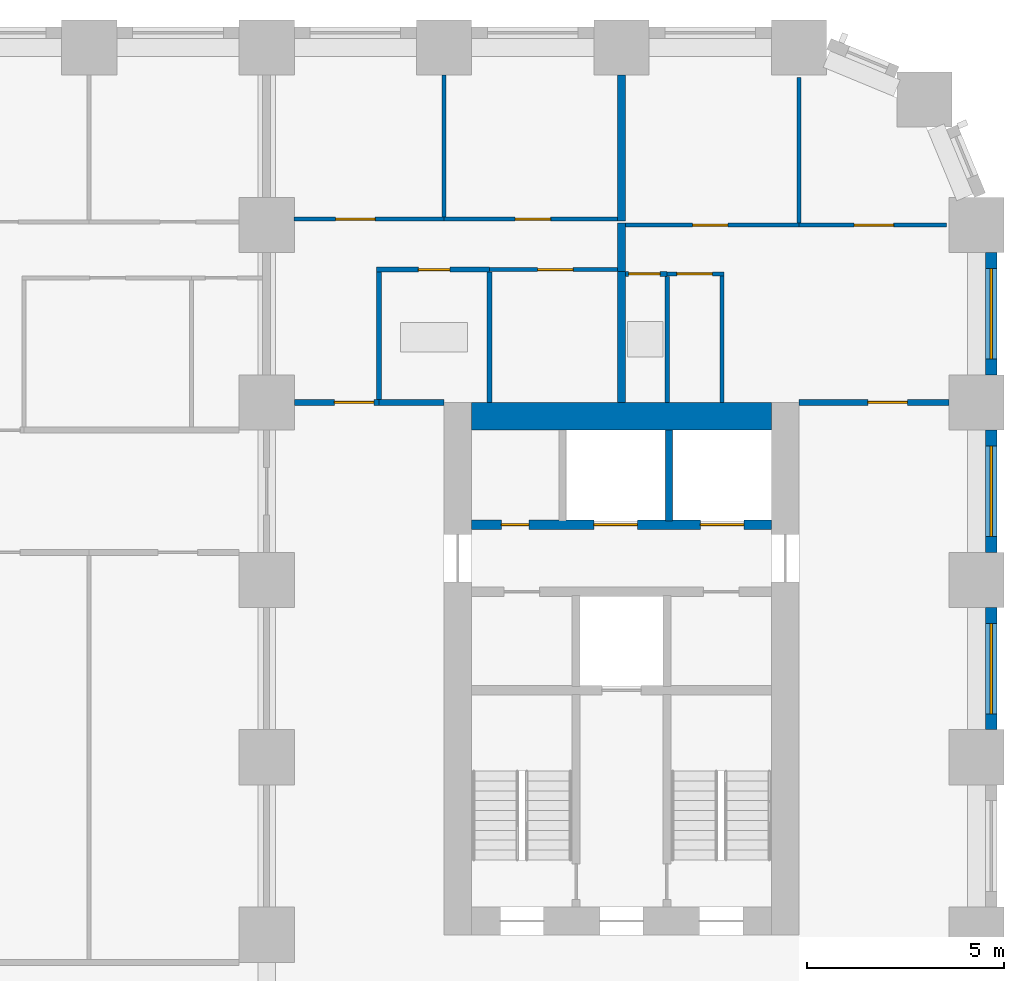
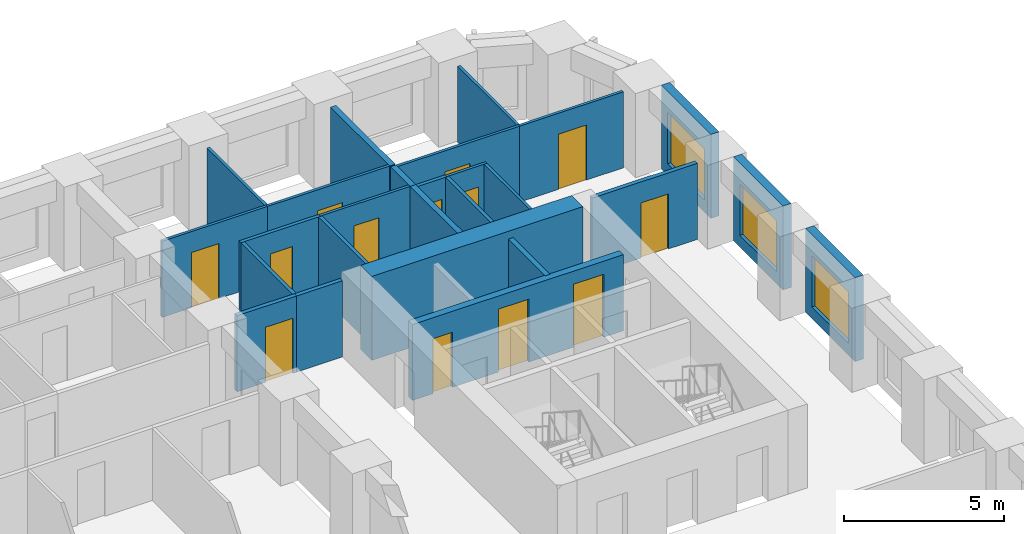
# One storey, part 9 of 13: 26 walls, 13 doors, 3 windows, 16 openings.
"""IFC4 building model written with IfcOpenShell, lengths in metres."""

from ifc_helpers import new_model, si_unit, direction, frame, frame_2d, origin, place, context, subcontext, project, spatial, rectangle, extrude, material, layer, layer_set, type_object, element, fill, save


model = new_model("IFC4")

# Units and contexts
model_context = context("Model", 3, precision=1e-05, world=origin(), true_north=direction((0.0, 1.0)))
body_context = subcontext(model_context, "Body", "Model", "MODEL_VIEW")
ifc_project = project(units=[si_unit("LENGTHUNIT", "METRE"), si_unit("AREAUNIT", "SQUARE_METRE"), si_unit("VOLUMEUNIT", "CUBIC_METRE"), si_unit("PLANEANGLEUNIT", "RADIAN"), si_unit("MASSUNIT", "GRAM", prefix="KILO")], contexts=[model_context])

# Site, building, storey
site_placement = place(None, origin())
site = spatial("IfcSite", under=ifc_project, at=site_placement, CompositionType="ELEMENT")
building_placement = place(site_placement, origin())
building = spatial("IfcBuilding", under=site, at=building_placement, Name="Girih Gate Residences", CompositionType="ELEMENT")
storey_placement = place(building_placement, frame((0.0, 0.0, 49.60009765625)))
storey = spatial("IfcBuildingStorey", under=building, at=storey_placement, Name="L12", CompositionType="ELEMENT", Elevation=49.60009765625)

# Wall, opening, door
ifc_material_1 = material(Name="Gypsum board on steel studs", Category="steel")
ifc_layer_1 = layer(ifc_material_1, 0.14990234375)
ifc_layer_set_1 = layer_set([ifc_layer_1], Name="Compartment wall 150 mm")
wall_type_1 = type_object("IfcWallType", Name="Compartment wall 150 mm", PredefinedType="PARTITIONING", material=ifc_layer_set_1)
wall_1_placement = place(storey_placement, frame((45.0, 40.5, 0.0), z_axis=(0.0, 0.0, 1.0), x_axis=(1.0, 0.0, 0.0)))
wall_1 = element("IfcWall", 1, at=wall_1_placement, inside=storey, type_object=wall_type_1, Name="L12 partition", PredefinedType="PARTITIONING", context=body_context, shape_type="SweptSolid", body=[
    extrude(rectangle(XDim=3.800048828125, YDim=0.14990234375, at=frame_2d((1.89990234375, 0.0))), origin(), (0.0, 0.0, 1.0), 2.89990234375),
])
opening_1_placement = place(wall_1_placement, frame((1.75, 0.0, 0.0)))
opening_1 = element("IfcOpeningElement", 2, at=opening_1_placement, cuts=wall_1, Name="Opening A12-033", PredefinedType="OPENING", context=body_context, shape_type="SweptSolid", body=[
    extrude(rectangle(XDim=1.0, YDim=2.10009765625, at=frame_2d((0.5, 1.050048828125))), frame((0.0, 0.0849609375, 0.0), z_axis=(0.0, -1.0, 0.0), x_axis=(1.0, 0.0, 0.0)), (0.0, 0.0, 1.0), 0.169921875),
])
ifc_material_2 = material(Name="Timber, fire-rated core", Category="wood")
door_type_1 = type_object("IfcDoorType", Name="Flat entrance door 1000x2100 FD30S", OperationType="NOTDEFINED", PredefinedType="DOOR", material=ifc_material_2)
door_1_placement = place(opening_1_placement, origin())
door_1 = element("IfcDoor", 3, at=door_1_placement, inside=storey, type_object=door_type_1, Name="Door A12-033", OperationType="SINGLE_SWING_RIGHT", OverallHeight=2.10009765625, OverallWidth=1.0, PredefinedType="DOOR", context=body_context, shape_type="SweptSolid", body=[
    extrude(rectangle(XDim=1.0, YDim=2.10009765625, at=frame_2d((0.5, 1.050048828125))), frame((0.0, 0.02490234375, 0.0), z_axis=(0.0, -1.0, 0.0), x_axis=(1.0, 0.0, 0.0)), (0.0, 0.0, 1.0), 0.050048828125),
])
fill(opening_1, door_1)

# Wall
wall_2_placement = place(storey_placement, frame((34.35009765625, 40.5, 0.0), z_axis=(0.0, 0.0, 1.0), x_axis=(1.0, 0.0, 0.0)))
element("IfcWall", 4, at=wall_2_placement, inside=storey, type_object=wall_type_1, Name="L12 partition", PredefinedType="PARTITIONING", context=body_context, shape_type="SweptSolid", body=[
    extrude(rectangle(XDim=1.64990234375, YDim=0.14990234375, at=frame_2d((0.824951171875, 0.0))), origin(), (0.0, 0.0, 1.0), 2.89990234375),
])

# Wall, opening, door
wall_3_placement = place(storey_placement, frame((32.199951171875, 40.5, 0.0), z_axis=(0.0, 0.0, 1.0), x_axis=(1.0, 0.0, 0.0)))
wall_3 = element("IfcWall", 5, at=wall_3_placement, inside=storey, type_object=wall_type_1, Name="L12 partition", PredefinedType="PARTITIONING", context=body_context, shape_type="SweptSolid", body=[
    extrude(rectangle(XDim=2.150146484375, YDim=0.14990234375, at=frame_2d((1.0751953125, 0.0))), origin(), (0.0, 0.0, 1.0), 2.89990234375),
])
opening_2_placement = place(wall_3_placement, frame((1.02001953125, 0.0, 0.0)))
opening_2 = element("IfcOpeningElement", 6, at=opening_2_placement, cuts=wall_3, Name="Opening A12-038", PredefinedType="OPENING", context=body_context, shape_type="SweptSolid", body=[
    extrude(rectangle(XDim=1.0, YDim=2.10009765625, at=frame_2d((0.5, 1.050048828125))), frame((0.0, 0.0849609375, 0.0), z_axis=(0.0, -1.0, 0.0), x_axis=(1.0, 0.0, 0.0)), (0.0, 0.0, 1.0), 0.169921875),
])
door_2_placement = place(opening_2_placement, origin())
door_2 = element("IfcDoor", 7, at=door_2_placement, inside=storey, type_object=door_type_1, Name="Door A12-038", OperationType="SINGLE_SWING_RIGHT", OverallHeight=2.10009765625, OverallWidth=1.0, PredefinedType="DOOR", context=body_context, shape_type="SweptSolid", body=[
    extrude(rectangle(XDim=1.0, YDim=2.10009765625, at=frame_2d((0.5, 1.050048828125))), frame((0.0, 0.02490234375, 0.0), z_axis=(0.0, -1.0, 0.0), x_axis=(1.0, 0.0, 0.0)), (0.0, 0.0, 1.0), 0.050048828125),
])
fill(opening_2, door_2)

# Wall
ifc_material_3 = material(Name="Concrete C60/75", Category="concrete")
ifc_layer_2 = layer(ifc_material_3, 0.699951171875)
ifc_layer_set_2 = layer_set([ifc_layer_2], Name="Core wall RC 700 Concrete C60/75")
wall_type_2 = type_object("IfcWallType", Name="Core wall RC 700 Concrete C60/75", PredefinedType="SOLIDWALL", material=ifc_layer_set_2)
wall_4_placement = place(storey_placement, frame((36.699951171875, 40.14990234375, 0.0), z_axis=(0.0, 0.0, 1.0), x_axis=(1.0, 0.0, 0.0)))
element("IfcWall", 8, at=wall_4_placement, inside=storey, type_object=wall_type_2, Name="Core wall E-N L12", PredefinedType="SOLIDWALL", context=body_context, shape_type="SweptSolid", body=[
    extrude(rectangle(XDim=7.60009765625, YDim=0.699951171875, at=frame_2d((3.800048828125, 0.0))), origin(), (0.0, 0.0, 1.0), 3.199951171875),
])

# Wall, openings, doors
ifc_material_4 = material(Name="Concrete C40/50", Category="concrete")
ifc_layer_3 = layer(ifc_material_4, 0.25)
ifc_layer_set_3 = layer_set([ifc_layer_3], Name="Lift shaft wall 250")
wall_type_3 = type_object("IfcWallType", Name="Lift shaft wall 250", PredefinedType="SOLIDWALL", material=ifc_layer_set_3)
wall_5_placement = place(storey_placement, frame((36.699951171875, 37.39990234375, 0.0), z_axis=(0.0, 0.0, 1.0), x_axis=(1.0, 0.0, 0.0)))
wall_5 = element("IfcWall", 9, at=wall_5_placement, inside=storey, type_object=wall_type_3, Name="L12 E core wall H3", PredefinedType="SOLIDWALL", context=body_context, shape_type="SweptSolid", body=[
    extrude(rectangle(XDim=7.60009765625, YDim=0.25, at=frame_2d((3.800048828125, 0.0))), origin(), (0.0, 0.0, 1.0), 2.89990234375),
])
opening_3_placement = place(wall_5_placement, frame((5.800048828125, 0.0, 0.0)))
opening_3 = element("IfcOpeningElement", 10, at=opening_3_placement, cuts=wall_5, Name="Opening D-L12-E-003", PredefinedType="OPENING", context=body_context, shape_type="SweptSolid", body=[
    extrude(rectangle(XDim=1.10009765625, YDim=2.39990234375, at=frame_2d((0.550048828125, 1.199951171875))), frame((0.0, 0.135009765625, 0.0), z_axis=(0.0, -1.0, 0.0), x_axis=(1.0, 0.0, 0.0)), (0.0, 0.0, 1.0), 0.27001953125),
])
opening_4_placement = place(wall_5_placement, frame((3.10009765625, 0.0, 0.0)))
opening_4 = element("IfcOpeningElement", 11, at=opening_4_placement, cuts=wall_5, Name="Opening D-L12-E-004", PredefinedType="OPENING", context=body_context, shape_type="SweptSolid", body=[
    extrude(rectangle(XDim=1.10009765625, YDim=2.39990234375, at=frame_2d((0.550048828125, 1.199951171875))), frame((0.0, 0.135009765625, 0.0), z_axis=(0.0, -1.0, 0.0), x_axis=(1.0, 0.0, 0.0)), (0.0, 0.0, 1.0), 0.27001953125),
])
opening_5_placement = place(wall_5_placement, frame((0.75, 0.0, 0.0)))
opening_5 = element("IfcOpeningElement", 12, at=opening_5_placement, cuts=wall_5, Name="Opening D-L12-E-006", PredefinedType="OPENING", context=body_context, shape_type="SweptSolid", body=[
    extrude(rectangle(XDim=0.699951171875, YDim=2.10009765625, at=frame_2d((0.35009765625, 1.050048828125))), frame((0.0, 0.135009765625, 0.0), z_axis=(0.0, -1.0, 0.0), x_axis=(1.0, 0.0, 0.0)), (0.0, 0.0, 1.0), 0.27001953125),
])
ifc_material_5 = material(Name="Stainless steel", Category="steel")
door_type_2 = type_object("IfcDoorType", Name="Lift landing door 1100x2400", OperationType="SLIDING_TO_LEFT", PredefinedType="DOOR", material=ifc_material_5)
door_3_placement = place(opening_3_placement, origin())
door_3 = element("IfcDoor", 13, at=door_3_placement, inside=storey, type_object=door_type_2, Name="L12 lift LR-E1 landing door", OperationType="SLIDING_TO_LEFT", OverallHeight=2.39990234375, OverallWidth=1.10009765625, PredefinedType="DOOR", context=body_context, shape_type="SweptSolid", body=[
    extrude(rectangle(XDim=1.10009765625, YDim=2.39990234375, at=frame_2d((0.550048828125, 1.199951171875))), frame((0.0, 0.02490234375, 0.0), z_axis=(0.0, -1.0, 0.0), x_axis=(1.0, 0.0, 0.0)), (0.0, 0.0, 1.0), 0.050048828125),
])
fill(opening_3, door_3)
door_4_placement = place(opening_4_placement, origin())
door_4 = element("IfcDoor", 14, at=door_4_placement, inside=storey, type_object=door_type_2, Name="L12 lift LR-E2 landing door", OperationType="SLIDING_TO_LEFT", OverallHeight=2.39990234375, OverallWidth=1.10009765625, PredefinedType="DOOR", context=body_context, shape_type="SweptSolid", body=[
    extrude(rectangle(XDim=1.10009765625, YDim=2.39990234375, at=frame_2d((0.550048828125, 1.199951171875))), frame((0.0, 0.02490234375, 0.0), z_axis=(0.0, -1.0, 0.0), x_axis=(1.0, 0.0, 0.0)), (0.0, 0.0, 1.0), 0.050048828125),
])
fill(opening_4, door_4)
ifc_material_6 = material(Name="Painted steel, fire-resisting", Category="steel")
door_type_3 = type_object("IfcDoorType", Name="Riser access door 700x2100", OperationType="SINGLE_SWING_LEFT", PredefinedType="DOOR", material=ifc_material_6)
door_5_placement = place(opening_5_placement, origin())
door_5 = element("IfcDoor", 15, at=door_5_placement, inside=storey, type_object=door_type_3, Name="L12 E riser room door", OperationType="SINGLE_SWING_LEFT", OverallHeight=2.10009765625, OverallWidth=0.699951171875, PredefinedType="DOOR", context=body_context, shape_type="SweptSolid", body=[
    extrude(rectangle(XDim=0.699951171875, YDim=2.10009765625, at=frame_2d((0.35009765625, 1.050048828125))), frame((0.0, 0.02490234375, 0.0), z_axis=(0.0, -1.0, 0.0), x_axis=(1.0, 0.0, 0.0)), (0.0, 0.0, 1.0), 0.050048828125),
])
fill(opening_5, door_5)

# Wall, opening, door
ifc_layer_4 = layer(ifc_material_1, 0.10009765625)
ifc_layer_set_4 = layer_set([ifc_layer_4], Name="Partition 100 mm")
wall_type_4 = type_object("IfcWallType", Name="Partition 100 mm", PredefinedType="PARTITIONING", material=ifc_layer_set_4)
wall_6_placement = place(storey_placement, frame((40.60009765625, 45.0, 0.0), z_axis=(0.0, 0.0, 1.0), x_axis=(1.0, 0.0, 0.0)))
wall_6 = element("IfcWall", 16, at=wall_6_placement, inside=storey, type_object=wall_type_4, Name="L12 partition", PredefinedType="PARTITIONING", context=body_context, shape_type="SweptSolid", body=[
    extrude(rectangle(XDim=4.39990234375, YDim=0.10009765625, at=frame_2d((2.199951171875, 0.0))), origin(), (0.0, 0.0, 1.0), 2.89990234375),
])
opening_6_placement = place(wall_6_placement, frame((1.699951171875, 0.0, 0.0)))
opening_6 = element("IfcOpeningElement", 17, at=opening_6_placement, cuts=wall_6, Name="Opening A12-030", PredefinedType="OPENING", context=body_context, shape_type="SweptSolid", body=[
    extrude(rectangle(XDim=0.89990234375, YDim=2.10009765625, at=frame_2d((0.449951171875, 1.050048828125))), frame((0.0, 0.06005859375, 0.0), z_axis=(0.0, -1.0, 0.0), x_axis=(1.0, 0.0, 0.0)), (0.0, 0.0, 1.0), 0.1201171875),
])
ifc_material_7 = material(Name="Timber", Category="wood")
door_type_4 = type_object("IfcDoorType", Name="Bedroom door 900x2100", OperationType="NOTDEFINED", PredefinedType="DOOR", material=ifc_material_7)
door_6_placement = place(opening_6_placement, origin())
door_6 = element("IfcDoor", 18, at=door_6_placement, inside=storey, type_object=door_type_4, Name="Door A12-030", OperationType="SINGLE_SWING_LEFT", OverallHeight=2.10009765625, OverallWidth=0.89990234375, PredefinedType="DOOR", context=body_context, shape_type="SweptSolid", body=[
    extrude(rectangle(XDim=0.89990234375, YDim=2.10009765625, at=frame_2d((0.449951171875, 1.050048828125))), frame((0.0, 0.02490234375, 0.0), z_axis=(0.0, -1.0, 0.0), x_axis=(1.0, 0.0, 0.0)), (0.0, 0.0, 1.0), 0.050048828125),
])
fill(opening_6, door_6)

# Walls
wall_7_placement = place(storey_placement, frame((45.0, 45.050048828125, 0.0), z_axis=(0.0, 0.0, 1.0), x_axis=(0.0, 1.0, 0.0)))
element("IfcWall", 19, at=wall_7_placement, inside=storey, type_object=wall_type_4, Name="L12 partition", PredefinedType="PARTITIONING", context=body_context, shape_type="SweptSolid", body=[
    extrude(rectangle(XDim=3.6923828125, YDim=0.10009765625, at=frame_2d((1.84619140625, 0.0))), origin(), (0.0, 0.0, 1.0), 2.89990234375),
])
wall_8_placement = place(storey_placement, frame((43.050048828125, 40.5, 0.0), z_axis=(0.0, 0.0, 1.0), x_axis=(0.0, 1.0, 0.0)))
element("IfcWall", 20, at=wall_8_placement, inside=storey, type_object=wall_type_4, Name="L12 partition", PredefinedType="PARTITIONING", context=body_context, shape_type="SweptSolid", body=[
    extrude(rectangle(XDim=3.2099609375, YDim=0.10009765625, at=frame_2d((1.60498046875, 0.0))), origin(), (0.0, 0.0, 1.0), 2.89990234375),
])

# Wall, opening, door
wall_9_placement = place(storey_placement, frame((43.10009765625, 43.760009765625, 0.0), z_axis=(0.0, 0.0, 1.0), x_axis=(-1.0, 0.0, 0.0)))
wall_9 = element("IfcWall", 21, at=wall_9_placement, inside=storey, type_object=wall_type_4, Name="L12 partition", PredefinedType="PARTITIONING", context=body_context, shape_type="SweptSolid", body=[
    extrude(rectangle(XDim=1.44091796875, YDim=0.10009765625, at=frame_2d((0.720458984375, 0.0))), origin(), (0.0, 0.0, 1.0), 2.89990234375),
])
opening_7_placement = place(wall_9_placement, frame((0.29541015625, 0.0, 0.0)))
opening_7 = element("IfcOpeningElement", 22, at=opening_7_placement, cuts=wall_9, Name="Opening A12-031", PredefinedType="OPENING", context=body_context, shape_type="SweptSolid", body=[
    extrude(rectangle(XDim=0.89990234375, YDim=2.10009765625, at=frame_2d((0.449951171875, 1.050048828125))), frame((0.0, 0.06005859375, 0.0), z_axis=(0.0, -1.0, 0.0), x_axis=(1.0, 0.0, 0.0)), (0.0, 0.0, 1.0), 0.1201171875),
])
door_type_5 = type_object("IfcDoorType", Name="Kitchen door 900x2100", OperationType="NOTDEFINED", PredefinedType="DOOR", material=ifc_material_7)
door_7_placement = place(opening_7_placement, origin())
door_7 = element("IfcDoor", 23, at=door_7_placement, inside=storey, type_object=door_type_5, Name="Door A12-031", OperationType="SINGLE_SWING_RIGHT", OverallHeight=2.10009765625, OverallWidth=0.89990234375, PredefinedType="DOOR", context=body_context, shape_type="SweptSolid", body=[
    extrude(rectangle(XDim=0.89990234375, YDim=2.10009765625, at=frame_2d((0.449951171875, 1.050048828125))), frame((0.0, 0.02490234375, 0.0), z_axis=(0.0, -1.0, 0.0), x_axis=(1.0, 0.0, 0.0)), (0.0, 0.0, 1.0), 0.050048828125),
])
fill(opening_7, door_7)

wall_10_placement = place(storey_placement, frame((45.0, 45.0, 0.0), z_axis=(0.0, 0.0, 1.0), x_axis=(1.0, 0.0, 0.0)))
wall_10 = element("IfcWall", 24, at=wall_10_placement, inside=storey, type_object=wall_type_4, Name="L12 partition", PredefinedType="PARTITIONING", context=body_context, shape_type="SweptSolid", body=[
    extrude(rectangle(XDim=3.742431640625, YDim=0.10009765625, at=frame_2d((1.87109375, 0.0))), origin(), (0.0, 0.0, 1.0), 2.89990234375),
])
opening_8_placement = place(wall_10_placement, frame((1.39990234375, 0.0, 0.0)))
opening_8 = element("IfcOpeningElement", 25, at=opening_8_placement, cuts=wall_10, Name="Opening A12-032", PredefinedType="OPENING", context=body_context, shape_type="SweptSolid", body=[
    extrude(rectangle(XDim=1.0, YDim=2.10009765625, at=frame_2d((0.5, 1.050048828125))), frame((0.0, 0.06005859375, 0.0), z_axis=(0.0, -1.0, 0.0), x_axis=(1.0, 0.0, 0.0)), (0.0, 0.0, 1.0), 0.1201171875),
])
door_type_6 = type_object("IfcDoorType", Name="Living room door 1000x2100", OperationType="NOTDEFINED", PredefinedType="DOOR", material=ifc_material_7)
door_8_placement = place(opening_8_placement, origin())
door_8 = element("IfcDoor", 26, at=door_8_placement, inside=storey, type_object=door_type_6, Name="Door A12-032", OperationType="SINGLE_SWING_RIGHT", OverallHeight=2.10009765625, OverallWidth=1.0, PredefinedType="DOOR", context=body_context, shape_type="SweptSolid", body=[
    extrude(rectangle(XDim=1.0, YDim=2.10009765625, at=frame_2d((0.5, 1.050048828125))), frame((0.0, 0.02490234375, 0.0), z_axis=(0.0, -1.0, 0.0), x_axis=(1.0, 0.0, 0.0)), (0.0, 0.0, 1.0), 0.050048828125),
])
fill(opening_8, door_8)

wall_11_placement = place(storey_placement, frame((36.0, 45.14990234375, 0.0), z_axis=(0.0, 0.0, 1.0), x_axis=(1.0, 0.0, 0.0)))
wall_11 = element("IfcWall", 27, at=wall_11_placement, inside=storey, type_object=wall_type_4, Name="L12 partition", PredefinedType="PARTITIONING", context=body_context, shape_type="SweptSolid", body=[
    extrude(rectangle(XDim=4.39990234375, YDim=0.10009765625, at=frame_2d((2.199951171875, 0.0))), origin(), (0.0, 0.0, 1.0), 2.89990234375),
])
opening_9_placement = place(wall_11_placement, frame((1.800048828125, 0.0, 0.0)))
opening_9 = element("IfcOpeningElement", 28, at=opening_9_placement, cuts=wall_11, Name="Opening A12-035", PredefinedType="OPENING", context=body_context, shape_type="SweptSolid", body=[
    extrude(rectangle(XDim=0.89990234375, YDim=2.10009765625, at=frame_2d((0.449951171875, 1.050048828125))), frame((0.0, 0.06005859375, 0.0), z_axis=(0.0, -1.0, 0.0), x_axis=(1.0, 0.0, 0.0)), (0.0, 0.0, 1.0), 0.1201171875),
])
door_9_placement = place(opening_9_placement, origin())
door_9 = element("IfcDoor", 29, at=door_9_placement, inside=storey, type_object=door_type_4, Name="Door A12-035", OperationType="SINGLE_SWING_RIGHT", OverallHeight=2.10009765625, OverallWidth=0.89990234375, PredefinedType="DOOR", context=body_context, shape_type="SweptSolid", body=[
    extrude(rectangle(XDim=0.89990234375, YDim=2.10009765625, at=frame_2d((0.449951171875, 1.050048828125))), frame((0.0, 0.02490234375, 0.0), z_axis=(0.0, -1.0, 0.0), x_axis=(1.0, 0.0, 0.0)), (0.0, 0.0, 1.0), 0.050048828125),
])
fill(opening_9, door_9)

# Wall
wall_12_placement = place(storey_placement, frame((36.0, 45.199951171875, 0.0), z_axis=(0.0, 0.0, 1.0), x_axis=(0.0, 1.0, 0.0)))
element("IfcWall", 30, at=wall_12_placement, inside=storey, type_object=wall_type_4, Name="L12 partition", PredefinedType="PARTITIONING", context=body_context, shape_type="SweptSolid", body=[
    extrude(rectangle(XDim=3.60009765625, YDim=0.10009765625, at=frame_2d((1.800048828125, 0.0))), origin(), (0.0, 0.0, 1.0), 2.89990234375),
])

# Wall, opening, door
wall_13_placement = place(storey_placement, frame((40.39990234375, 43.8701171875, 0.0), z_axis=(0.0, 0.0, 1.0), x_axis=(-1.0, 0.0, 0.0)))
wall_13 = element("IfcWall", 31, at=wall_13_placement, inside=storey, type_object=wall_type_4, Name="L12 partition", PredefinedType="PARTITIONING", context=body_context, shape_type="SweptSolid", body=[
    extrude(rectangle(XDim=3.250244140625, YDim=0.10009765625, at=frame_2d((1.625, 0.0))), origin(), (0.0, 0.0, 1.0), 2.89990234375),
])
opening_10_placement = place(wall_13_placement, frame((1.125, 0.0, 0.0)))
opening_10 = element("IfcOpeningElement", 32, at=opening_10_placement, cuts=wall_13, Name="Opening A12-036", PredefinedType="OPENING", context=body_context, shape_type="SweptSolid", body=[
    extrude(rectangle(XDim=0.89990234375, YDim=2.10009765625, at=frame_2d((0.449951171875, 1.050048828125))), frame((0.0, 0.06005859375, 0.0), z_axis=(0.0, -1.0, 0.0), x_axis=(1.0, 0.0, 0.0)), (0.0, 0.0, 1.0), 0.1201171875),
])
door_10_placement = place(opening_10_placement, origin())
door_10 = element("IfcDoor", 33, at=door_10_placement, inside=storey, type_object=door_type_5, Name="Door A12-036", OperationType="SINGLE_SWING_LEFT", OverallHeight=2.10009765625, OverallWidth=0.89990234375, PredefinedType="DOOR", context=body_context, shape_type="SweptSolid", body=[
    extrude(rectangle(XDim=0.89990234375, YDim=2.10009765625, at=frame_2d((0.449951171875, 1.050048828125))), frame((0.0, 0.02490234375, 0.0), z_axis=(0.0, -1.0, 0.0), x_axis=(1.0, 0.0, 0.0)), (0.0, 0.0, 1.0), 0.050048828125),
])
fill(opening_10, door_10)

wall_14_placement = place(storey_placement, frame((32.199951171875, 45.14990234375, 0.0), z_axis=(0.0, 0.0, 1.0), x_axis=(1.0, 0.0, 0.0)))
wall_14 = element("IfcWall", 34, at=wall_14_placement, inside=storey, type_object=wall_type_4, Name="L12 partition", PredefinedType="PARTITIONING", context=body_context, shape_type="SweptSolid", body=[
    extrude(rectangle(XDim=3.800048828125, YDim=0.10009765625, at=frame_2d((1.89990234375, 0.0))), origin(), (0.0, 0.0, 1.0), 2.89990234375),
])
opening_11_placement = place(wall_14_placement, frame((1.050048828125, 0.0, 0.0)))
opening_11 = element("IfcOpeningElement", 35, at=opening_11_placement, cuts=wall_14, Name="Opening A12-037", PredefinedType="OPENING", context=body_context, shape_type="SweptSolid", body=[
    extrude(rectangle(XDim=1.0, YDim=2.10009765625, at=frame_2d((0.5, 1.050048828125))), frame((0.0, 0.06005859375, 0.0), z_axis=(0.0, -1.0, 0.0), x_axis=(1.0, 0.0, 0.0)), (0.0, 0.0, 1.0), 0.1201171875),
])
door_11_placement = place(opening_11_placement, origin())
door_11 = element("IfcDoor", 36, at=door_11_placement, inside=storey, type_object=door_type_6, Name="Door A12-037", OperationType="SINGLE_SWING_LEFT", OverallHeight=2.10009765625, OverallWidth=1.0, PredefinedType="DOOR", context=body_context, shape_type="SweptSolid", body=[
    extrude(rectangle(XDim=1.0, YDim=2.10009765625, at=frame_2d((0.5, 1.050048828125))), frame((0.0, 0.02490234375, 0.0), z_axis=(0.0, -1.0, 0.0), x_axis=(1.0, 0.0, 0.0)), (0.0, 0.0, 1.0), 0.050048828125),
])
fill(opening_11, door_11)

# Walls
ifc_layer_5 = layer(ifc_material_1, 0.199951171875)
ifc_layer_set_5 = layer_set([ifc_layer_5], Name="Party wall 200 mm")
wall_type_5 = type_object("IfcWallType", Name="Party wall 200 mm", PredefinedType="PARTITIONING", material=ifc_layer_set_5)
wall_15_placement = place(storey_placement, frame((40.5, 40.5, 0.0), z_axis=(0.0, 0.0, 1.0), x_axis=(0.0, 1.0, 0.0)))
element("IfcWall", 37, at=wall_15_placement, inside=storey, type_object=wall_type_5, Name="L12 partition", PredefinedType="PARTITIONING", context=body_context, shape_type="SweptSolid", body=[
    extrude(rectangle(XDim=3.322509765625, YDim=0.199951171875, at=frame_2d((1.6611328125, 0.0))), origin(), (0.0, 0.0, 1.0), 2.89990234375),
])
wall_16_placement = place(storey_placement, frame((40.5, 45.10009765625, 0.0), z_axis=(0.0, 0.0, 1.0), x_axis=(0.0, 1.0, 0.0)))
element("IfcWall", 38, at=wall_16_placement, inside=storey, type_object=wall_type_5, Name="L12 partition", PredefinedType="PARTITIONING", context=body_context, shape_type="SweptSolid", body=[
    extrude(rectangle(XDim=3.699951171875, YDim=0.199951171875, at=frame_2d((1.85009765625, 0.0))), origin(), (0.0, 0.0, 1.0), 2.89990234375),
])
wall_17_placement = place(storey_placement, frame((40.5, 43.820068359375, 0.0), z_axis=(0.0, 0.0, 1.0), x_axis=(0.0, 1.0, 0.0)))
element("IfcWall", 39, at=wall_17_placement, inside=storey, type_object=wall_type_5, Name="L12 partition", PredefinedType="PARTITIONING", context=body_context, shape_type="SweptSolid", body=[
    extrude(rectangle(XDim=1.22998046875, YDim=0.199951171875, at=frame_2d((0.614990234375, 0.0))), origin(), (0.0, 0.0, 1.0), 2.89990234375),
])

# Wall, opening, window
ifc_material_8 = material(Name="Precast concrete C50/60", Category="concrete")
ifc_layer_6 = layer(ifc_material_8, 0.080078125, Name="Outer leaf")
ifc_material_9 = material(Name="Rigid PIR insulation")
ifc_layer_7 = layer(ifc_material_9, 0.14990234375, Name="Insulation")
ifc_material_10 = material(Name="Precast concrete C40/50", Category="concrete")
ifc_layer_8 = layer(ifc_material_10, 0.070068359375, Name="Inner leaf")
ifc_layer_set_6 = layer_set([ifc_layer_6, ifc_layer_7, ifc_layer_8], Name="Precast concrete C50/60 external wall 300")
wall_type_6 = type_object("IfcWallType", Name="Precast concrete C50/60 external wall 300", PredefinedType="SOLIDWALL", material=ifc_layer_set_6)
wall_18_placement = place(storey_placement, frame((49.875, 35.300048828125, 0.0), z_axis=(0.0, 0.0, 1.0), x_axis=(0.0, -1.0, 0.0)))
wall_18 = element("IfcWall", 40, at=wall_18_placement, inside=storey, type_object=wall_type_6, Name="External wall E0495_0045.6", PredefinedType="SOLIDWALL", context=body_context, shape_type="SweptSolid", body=[
    extrude(rectangle(XDim=3.10009765625, YDim=0.300048828125, at=frame_2d((1.550048828125, 0.0))), origin(), (0.0, 0.0, 1.0), 3.199951171875),
])
opening_12_placement = place(wall_18_placement, frame((0.39990234375, 0.0, 0.449951171875)))
opening_12 = element("IfcOpeningElement", 41, at=opening_12_placement, cuts=wall_18, Name="Opening W-1", PredefinedType="OPENING", context=body_context, shape_type="SweptSolid", body=[
    extrude(rectangle(XDim=2.300048828125, YDim=1.949951171875, at=frame_2d((1.14990234375, 0.97509765625))), frame((0.0, 0.159912109375, 0.0), z_axis=(0.0, -1.0, 0.0), x_axis=(1.0, 0.0, 0.0)), (0.0, 0.0, 1.0), 0.320068359375),
])
ifc_material_11 = material(Name="Double glazing in aluminium frame", Category="aluminium")
window_type = type_object("IfcWindowType", Name="Window W-1 2300x1950", PartitioningType="SINGLE_PANEL", PredefinedType="WINDOW", material=ifc_material_11)
window_1_placement = place(opening_12_placement, origin())
window_1 = element("IfcWindow", 42, at=window_1_placement, inside=storey, type_object=window_type, Name="Window W-1 E0495_0045.6", OverallHeight=1.949951171875, OverallWidth=2.300048828125, PartitioningType="SINGLE_PANEL", PredefinedType="WINDOW", context=body_context, shape_type="SweptSolid", body=[
    extrude(rectangle(XDim=2.300048828125, YDim=1.949951171875, at=frame_2d((1.14990234375, 0.97509765625))), frame((0.0, 0.030029296875, 0.0), z_axis=(0.0, -1.0, 0.0), x_axis=(1.0, 0.0, 0.0)), (0.0, 0.0, 1.0), 0.06005859375),
])
fill(opening_12, window_1)

wall_19_placement = place(storey_placement, frame((49.875, 39.800048828125, 0.0), z_axis=(0.0, 0.0, 1.0), x_axis=(0.0, -1.0, 0.0)))
wall_19 = element("IfcWall", 43, at=wall_19_placement, inside=storey, type_object=wall_type_6, Name="External wall E0495_0045.7", PredefinedType="SOLIDWALL", context=body_context, shape_type="SweptSolid", body=[
    extrude(rectangle(XDim=3.10009765625, YDim=0.300048828125, at=frame_2d((1.550048828125, 0.0))), origin(), (0.0, 0.0, 1.0), 3.199951171875),
])
opening_13_placement = place(wall_19_placement, frame((0.39990234375, 0.0, 0.449951171875)))
opening_13 = element("IfcOpeningElement", 44, at=opening_13_placement, cuts=wall_19, Name="Opening W-1", PredefinedType="OPENING", context=body_context, shape_type="SweptSolid", body=[
    extrude(rectangle(XDim=2.300048828125, YDim=1.949951171875, at=frame_2d((1.14990234375, 0.97509765625))), frame((0.0, 0.159912109375, 0.0), z_axis=(0.0, -1.0, 0.0), x_axis=(1.0, 0.0, 0.0)), (0.0, 0.0, 1.0), 0.320068359375),
])
window_2_placement = place(opening_13_placement, origin())
window_2 = element("IfcWindow", 45, at=window_2_placement, inside=storey, type_object=window_type, Name="Window W-1 E0495_0045.7", OverallHeight=1.949951171875, OverallWidth=2.300048828125, PartitioningType="SINGLE_PANEL", PredefinedType="WINDOW", context=body_context, shape_type="SweptSolid", body=[
    extrude(rectangle(XDim=2.300048828125, YDim=1.949951171875, at=frame_2d((1.14990234375, 0.97509765625))), frame((0.0, 0.030029296875, 0.0), z_axis=(0.0, -1.0, 0.0), x_axis=(1.0, 0.0, 0.0)), (0.0, 0.0, 1.0), 0.06005859375),
])
fill(opening_13, window_2)

wall_20_placement = place(storey_placement, frame((49.875, 44.300048828125, 0.0), z_axis=(0.0, 0.0, 1.0), x_axis=(0.0, -1.0, 0.0)))
wall_20 = element("IfcWall", 46, at=wall_20_placement, inside=storey, type_object=wall_type_6, Name="External wall E0495_0045.8", PredefinedType="SOLIDWALL", context=body_context, shape_type="SweptSolid", body=[
    extrude(rectangle(XDim=3.10009765625, YDim=0.300048828125, at=frame_2d((1.550048828125, 0.0))), origin(), (0.0, 0.0, 1.0), 3.199951171875),
])
opening_14_placement = place(wall_20_placement, frame((0.39990234375, 0.0, 0.449951171875)))
opening_14 = element("IfcOpeningElement", 47, at=opening_14_placement, cuts=wall_20, Name="Opening W-1", PredefinedType="OPENING", context=body_context, shape_type="SweptSolid", body=[
    extrude(rectangle(XDim=2.300048828125, YDim=1.949951171875, at=frame_2d((1.14990234375, 0.97509765625))), frame((0.0, 0.159912109375, 0.0), z_axis=(0.0, -1.0, 0.0), x_axis=(1.0, 0.0, 0.0)), (0.0, 0.0, 1.0), 0.320068359375),
])
window_3_placement = place(opening_14_placement, origin())
window_3 = element("IfcWindow", 48, at=window_3_placement, inside=storey, type_object=window_type, Name="Window W-1 E0495_0045.8", OverallHeight=1.949951171875, OverallWidth=2.300048828125, PartitioningType="SINGLE_PANEL", PredefinedType="WINDOW", context=body_context, shape_type="SweptSolid", body=[
    extrude(rectangle(XDim=2.300048828125, YDim=1.949951171875, at=frame_2d((1.14990234375, 0.97509765625))), frame((0.0, 0.030029296875, 0.0), z_axis=(0.0, -1.0, 0.0), x_axis=(1.0, 0.0, 0.0)), (0.0, 0.0, 1.0), 0.06005859375),
])
fill(opening_14, window_3)

# Wall
ifc_layer_9 = layer(ifc_material_4, 0.175048828125)
ifc_layer_set_7 = layer_set([ifc_layer_9], Name="Riser shaft wall 175")
wall_type_7 = type_object("IfcWallType", Name="Riser shaft wall 175", PredefinedType="SOLIDWALL", material=ifc_layer_set_7)
wall_21_placement = place(storey_placement, frame((41.699951171875, 37.5, 0.0), z_axis=(0.0, 0.0, 1.0), x_axis=(0.0, 1.0, 0.0)))
element("IfcWall", 49, at=wall_21_placement, inside=storey, type_object=wall_type_7, Name="L12 E core wall V1c", PredefinedType="SOLIDWALL", context=body_context, shape_type="SweptSolid", body=[
    extrude(rectangle(XDim=2.300048828125, YDim=0.175048828125, at=frame_2d((1.14990234375, 0.0))), origin(), (0.0, 0.0, 1.0), 2.89990234375),
])

# Wall, opening, door
ifc_layer_10 = layer(ifc_material_1, 0.125)
ifc_layer_set_8 = layer_set([ifc_layer_10], Name="Wet room wall 125 mm")
wall_type_8 = type_object("IfcWallType", Name="Wet room wall 125 mm", PredefinedType="PARTITIONING", material=ifc_layer_set_8)
wall_22_placement = place(storey_placement, frame((41.6591796875, 43.760009765625, 0.0), z_axis=(0.0, 0.0, 1.0), x_axis=(-1.0, 0.0, 0.0)))
wall_22 = element("IfcWall", 50, at=wall_22_placement, inside=storey, type_object=wall_type_8, Name="L12 partition", PredefinedType="PARTITIONING", context=body_context, shape_type="SweptSolid", body=[
    extrude(rectangle(XDim=1.05908203125, YDim=0.125, at=frame_2d((0.529541015625, 0.0))), origin(), (0.0, 0.0, 1.0), 2.89990234375),
])
opening_15_placement = place(wall_22_placement, frame((0.179443359375, 0.0, 0.0)))
opening_15 = element("IfcOpeningElement", 51, at=opening_15_placement, cuts=wall_22, Name="Opening A12-029", PredefinedType="OPENING", context=body_context, shape_type="SweptSolid", body=[
    extrude(rectangle(XDim=0.800048828125, YDim=2.10009765625, at=frame_2d((0.39990234375, 1.050048828125))), frame((0.0, 0.072509765625, 0.0), z_axis=(0.0, -1.0, 0.0), x_axis=(1.0, 0.0, 0.0)), (0.0, 0.0, 1.0), 0.14501953125),
])
door_type_7 = type_object("IfcDoorType", Name="Bathroom door 800x2100", OperationType="NOTDEFINED", PredefinedType="DOOR", material=ifc_material_7)
door_12_placement = place(opening_15_placement, origin())
door_12 = element("IfcDoor", 52, at=door_12_placement, inside=storey, type_object=door_type_7, Name="Door A12-029", OperationType="SINGLE_SWING_RIGHT", OverallHeight=2.10009765625, OverallWidth=0.800048828125, PredefinedType="DOOR", context=body_context, shape_type="SweptSolid", body=[
    extrude(rectangle(XDim=0.800048828125, YDim=2.10009765625, at=frame_2d((0.39990234375, 1.050048828125))), frame((0.0, 0.02490234375, 0.0), z_axis=(0.0, -1.0, 0.0), x_axis=(1.0, 0.0, 0.0)), (0.0, 0.0, 1.0), 0.050048828125),
])
fill(opening_15, door_12)

# Walls
wall_23_placement = place(storey_placement, frame((41.658935546875, 40.5, 0.0), z_axis=(0.0, 0.0, 1.0), x_axis=(0.0, 1.0, 0.0)))
element("IfcWall", 53, at=wall_23_placement, inside=storey, type_object=wall_type_8, Name="L12 partition", PredefinedType="PARTITIONING", context=body_context, shape_type="SweptSolid", body=[
    extrude(rectangle(XDim=3.197509765625, YDim=0.125, at=frame_2d((1.5986328125, 0.0))), origin(), (0.0, 0.0, 1.0), 2.89990234375),
])
wall_24_placement = place(storey_placement, frame((34.35009765625, 40.574951171875, 0.0), z_axis=(0.0, 0.0, 1.0), x_axis=(0.0, 1.0, 0.0)))
element("IfcWall", 54, at=wall_24_placement, inside=storey, type_object=wall_type_8, Name="L12 partition", PredefinedType="PARTITIONING", context=body_context, shape_type="SweptSolid", body=[
    extrude(rectangle(XDim=3.232666015625, YDim=0.125, at=frame_2d((1.6162109375, 0.0))), origin(), (0.0, 0.0, 1.0), 2.89990234375),
])

# Wall, opening, door
wall_25_placement = place(storey_placement, frame((37.149658203125, 43.8701171875, 0.0), z_axis=(0.0, 0.0, 1.0), x_axis=(-1.0, 0.0, 0.0)))
wall_25 = element("IfcWall", 55, at=wall_25_placement, inside=storey, type_object=wall_type_8, Name="L12 partition", PredefinedType="PARTITIONING", context=body_context, shape_type="SweptSolid", body=[
    extrude(rectangle(XDim=2.862060546875, YDim=0.125, at=frame_2d((1.43115234375, 0.0))), origin(), (0.0, 0.0, 1.0), 2.89990234375),
])
opening_16_placement = place(wall_25_placement, frame((1.0, 0.0, 0.0)))
opening_16 = element("IfcOpeningElement", 56, at=opening_16_placement, cuts=wall_25, Name="Opening A12-034", PredefinedType="OPENING", context=body_context, shape_type="SweptSolid", body=[
    extrude(rectangle(XDim=0.800048828125, YDim=2.10009765625, at=frame_2d((0.39990234375, 1.050048828125))), frame((0.0, 0.072509765625, 0.0), z_axis=(0.0, -1.0, 0.0), x_axis=(1.0, 0.0, 0.0)), (0.0, 0.0, 1.0), 0.14501953125),
])
door_13_placement = place(opening_16_placement, origin())
door_13 = element("IfcDoor", 57, at=door_13_placement, inside=storey, type_object=door_type_7, Name="Door A12-034", OperationType="SINGLE_SWING_LEFT", OverallHeight=2.10009765625, OverallWidth=0.800048828125, PredefinedType="DOOR", context=body_context, shape_type="SweptSolid", body=[
    extrude(rectangle(XDim=0.800048828125, YDim=2.10009765625, at=frame_2d((0.39990234375, 1.050048828125))), frame((0.0, 0.02490234375, 0.0), z_axis=(0.0, -1.0, 0.0), x_axis=(1.0, 0.0, 0.0)), (0.0, 0.0, 1.0), 0.050048828125),
])
fill(opening_16, door_13)

# Wall
wall_26_placement = place(storey_placement, frame((37.14990234375, 40.5, 0.0), z_axis=(0.0, 0.0, 1.0), x_axis=(0.0, 1.0, 0.0)))
element("IfcWall", 58, at=wall_26_placement, inside=storey, type_object=wall_type_8, Name="L12 partition", PredefinedType="PARTITIONING", context=body_context, shape_type="SweptSolid", body=[
    extrude(rectangle(XDim=3.3076171875, YDim=0.125, at=frame_2d((1.65380859375, 0.0))), origin(), (0.0, 0.0, 1.0), 2.89990234375),
])

save(model, "model.ifc")
